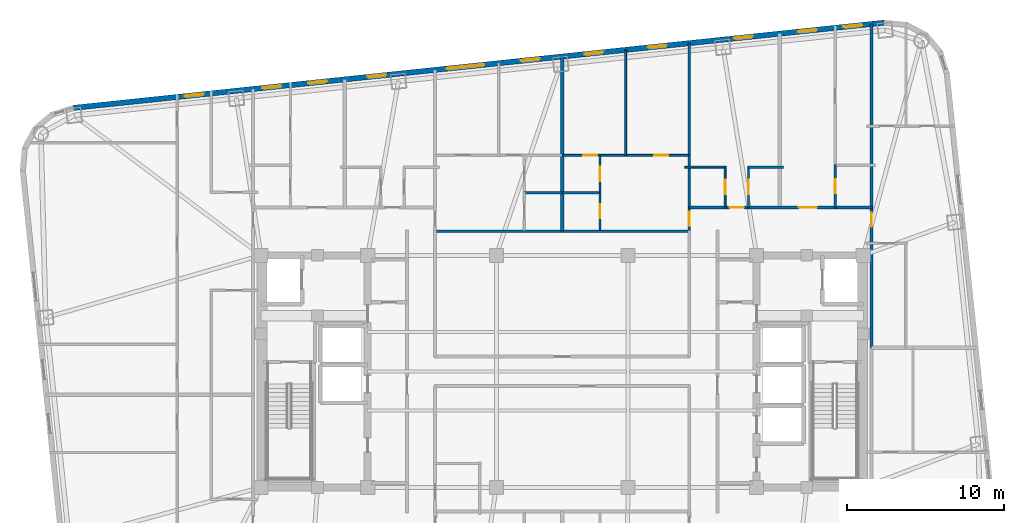
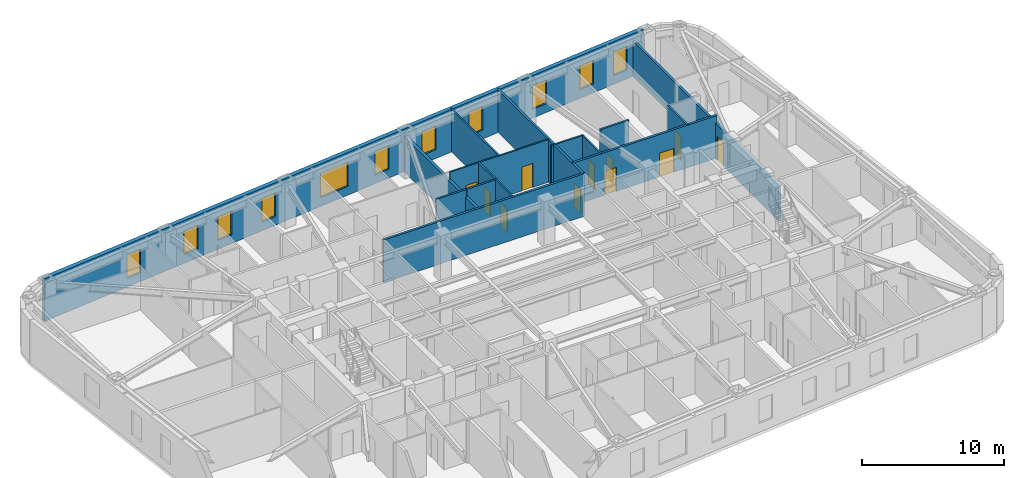
# One storey, part 8 of 11: 17 walls, 11 doors, 11 windows, 22 openings.
"""IFC4 building model written with IfcOpenShell, lengths in metres."""

from ifc_helpers import new_model, si_unit, direction, frame, frame_2d, origin, place, context, subcontext, project, spatial, rectangle, extrude, material, layer, layer_set, type_object, element, fill, save


model = new_model("IFC4")

# Units and contexts
model_context = context("Model", 3, precision=1e-05, world=origin(), true_north=direction((0.0, 1.0)))
body_context = subcontext(model_context, "Body", "Model", "MODEL_VIEW")
ifc_project = project(units=[si_unit("LENGTHUNIT", "METRE"), si_unit("AREAUNIT", "SQUARE_METRE"), si_unit("VOLUMEUNIT", "CUBIC_METRE"), si_unit("PLANEANGLEUNIT", "RADIAN"), si_unit("MASSUNIT", "GRAM", prefix="KILO")], contexts=[model_context])

# Site, building, storey
site_placement = place(None, origin())
site = spatial("IfcSite", under=ifc_project, at=site_placement, CompositionType="ELEMENT")
building_placement = place(site_placement, origin())
building = spatial("IfcBuilding", under=site, at=building_placement, Name="Voryun Gate Residences", CompositionType="ELEMENT")
storey_placement = place(building_placement, frame((0.0, 0.0, 156.0)))
storey = spatial("IfcBuildingStorey", under=building, at=storey_placement, Name="L38", CompositionType="ELEMENT", Elevation=156.0)

# Wall
ifc_material_1 = material(Name="Gypsum acoustic fireboard")
ifc_layer_1 = layer(ifc_material_1, 0.179931640625, Name="W_CORR_RATED_180")
ifc_layer_set_1 = layer_set([ifc_layer_1], Name="Gypsum acoustic fireboard")
wall_type_1 = type_object("IfcWallType", Name="W_CORR_RATED_180", PredefinedType="PARTITIONING", material=ifc_layer_set_1)
wall_1_placement = place(storey_placement, frame((-8.14990234375, 8.93994140625, 0.0), z_axis=(0.0, 0.0, 1.0), x_axis=(1.0, 0.0, 0.0)))
element("IfcWall", 1, at=wall_1_placement, inside=storey, type_object=wall_type_1, Name="Partition wall WP-L38-Z2N", PredefinedType="PARTITIONING", context=body_context, shape_type="SweptSolid", body=[
    extrude(rectangle(XDim=16.2998046875, YDim=0.179931640625, at=frame_2d((8.14990234375, 0.0))), origin(), (0.0, 0.0, 1.0), 3.64990234375),
])

# Wall, openings, doors
wall_2_placement = place(storey_placement, frame((8.080078125, 10.449951171875, 0.0), z_axis=(0.0, 0.0, 1.0), x_axis=(1.0, 0.0, 0.0)))
wall_2 = element("IfcWall", 2, at=wall_2_placement, inside=storey, type_object=wall_type_1, Name="Partition wall WP-L38-NCORR-E", PredefinedType="PARTITIONING", context=body_context, shape_type="SweptSolid", body=[
    extrude(rectangle(XDim=11.669921875, YDim=0.179931640625, at=frame_2d((5.8349609375, 0.0))), origin(), (0.0, 0.0, 1.0), 3.64990234375),
])
opening_1_placement = place(wall_2_placement, frame((2.60400390625, 0.0, 0.0)))
opening_1 = element("IfcOpeningElement", 3, at=opening_1_placement, cuts=wall_2, Name="Opening D-INT-2", PredefinedType="OPENING", context=body_context, shape_type="SweptSolid", body=[
    extrude(rectangle(XDim=0.89990234375, YDim=2.050048828125, at=frame_2d((0.449951171875, 1.02490234375))), frame((0.0, 0.099853515625, 0.0), z_axis=(0.0, -1.0, 0.0), x_axis=(1.0, 0.0, 0.0)), (0.0, 0.0, 1.0), 0.199951171875),
])
opening_2_placement = place(wall_2_placement, frame((7.016357421875, 0.0, 0.0)))
opening_2 = element("IfcOpeningElement", 4, at=opening_2_placement, cuts=wall_2, Name="Opening D-UNIT-1", PredefinedType="OPENING", context=body_context, shape_type="SweptSolid", body=[
    extrude(rectangle(XDim=1.14990234375, YDim=2.050048828125, at=frame_2d((0.574951171875, 1.02490234375))), frame((0.0, 0.099853515625, 0.0), z_axis=(0.0, -1.0, 0.0), x_axis=(1.0, 0.0, 0.0)), (0.0, 0.0, 1.0), 0.199951171875),
])
ifc_material_2 = material(Name="Architectural oak veneer")
door_type_1 = type_object("IfcDoorType", Name="DR_INT_BATH_900", OperationType="NOTDEFINED", PredefinedType="DOOR", material=ifc_material_2)
door_1_placement = place(opening_1_placement, origin())
door_1 = element("IfcDoor", 5, at=door_1_placement, inside=storey, type_object=door_type_1, Name="Door DR-L38-NENT-4", OperationType="SINGLE_SWING_RIGHT", OverallHeight=2.050048828125, OverallWidth=0.89990234375, PredefinedType="DOOR", context=body_context, shape_type="SweptSolid", body=[
    extrude(rectangle(XDim=0.89990234375, YDim=2.050048828125, at=frame_2d((0.449951171875, 1.02490234375))), frame((0.0, 0.02490234375, 0.0), z_axis=(0.0, -1.0, 0.0), x_axis=(1.0, 0.0, 0.0)), (0.0, 0.0, 1.0), 0.050048828125),
])
fill(opening_1, door_1)
ifc_material_3 = material(Name="Armoured timber-clad fire door", Category="wood")
door_type_2 = type_object("IfcDoorType", Name="DR_UNIT_ENTRY_1150", OperationType="NOTDEFINED", PredefinedType="DOOR", material=ifc_material_3)
door_2_placement = place(opening_2_placement, origin())
door_2 = element("IfcDoor", 6, at=door_2_placement, inside=storey, type_object=door_type_2, Name="Door DR-L38-NENT-5", OperationType="SINGLE_SWING_LEFT", OverallHeight=2.050048828125, OverallWidth=1.14990234375, PredefinedType="DOOR", context=body_context, shape_type="SweptSolid", body=[
    extrude(rectangle(XDim=1.14990234375, YDim=2.050048828125, at=frame_2d((0.574951171875, 1.02490234375))), frame((0.0, 0.02490234375, 0.0), z_axis=(0.0, -1.0, 0.0), x_axis=(1.0, 0.0, 0.0)), (0.0, 0.0, 1.0), 0.050048828125),
])
fill(opening_2, door_2)

# Wall, opening, door
wall_3_placement = place(storey_placement, frame((8.10009765625, 8.93994140625, 0.0), z_axis=(0.0, 0.0, 1.0), x_axis=(0.0, 1.0, 0.0)))
wall_3 = element("IfcWall", 7, at=wall_3_placement, inside=storey, type_object=wall_type_1, Name="Partition wall WP-L38-NZV-2", PredefinedType="PARTITIONING", context=body_context, shape_type="SweptSolid", body=[
    extrude(rectangle(XDim=11.9892578125, YDim=0.179931640625, at=frame_2d((5.99462890625, 0.0))), origin(), (0.0, 0.0, 1.0), 3.64990234375),
])
opening_3_placement = place(wall_3_placement, frame((0.349609375, 0.0, 0.0)))
opening_3 = element("IfcOpeningElement", 8, at=opening_3_placement, cuts=wall_3, Name="Opening D-INT-2", PredefinedType="OPENING", context=body_context, shape_type="SweptSolid", body=[
    extrude(rectangle(XDim=0.89990234375, YDim=2.050048828125, at=frame_2d((0.449951171875, 1.02490234375))), frame((0.0, 0.099853515625, 0.0), z_axis=(0.0, -1.0, 0.0), x_axis=(1.0, 0.0, 0.0)), (0.0, 0.0, 1.0), 0.199951171875),
])
door_3_placement = place(opening_3_placement, origin())
door_3 = element("IfcDoor", 9, at=door_3_placement, inside=storey, type_object=door_type_1, Name="Door DR-L38-NZENT-2", OperationType="SINGLE_SWING_RIGHT", OverallHeight=2.050048828125, OverallWidth=0.89990234375, PredefinedType="DOOR", context=body_context, shape_type="SweptSolid", body=[
    extrude(rectangle(XDim=0.89990234375, YDim=2.050048828125, at=frame_2d((0.449951171875, 1.02490234375))), frame((0.0, 0.02490234375, 0.0), z_axis=(0.0, -1.0, 0.0), x_axis=(1.0, 0.0, 0.0)), (0.0, 0.0, 1.0), 0.050048828125),
])
fill(opening_3, door_3)

wall_4_placement = place(storey_placement, frame((19.719970703125, 1.5, 0.0), z_axis=(0.0, 0.0, 1.0), x_axis=(0.0, 1.0, 0.0)))
wall_4 = element("IfcWall", 10, at=wall_4_placement, inside=storey, type_object=wall_type_1, Name="Partition wall WP-L38-ECOR2", PredefinedType="PARTITIONING", context=body_context, shape_type="SweptSolid", body=[
    extrude(rectangle(XDim=20.650390625, YDim=0.179931640625, at=frame_2d((10.3251953125, 0.0))), origin(), (0.0, 0.0, 1.0), 3.0400390625),
])
opening_4_placement = place(wall_4_placement, frame((7.7294921875, 0.0, 0.0)))
opening_4 = element("IfcOpeningElement", 11, at=opening_4_placement, cuts=wall_4, Name="Opening D-INT-2", PredefinedType="OPENING", context=body_context, shape_type="SweptSolid", body=[
    extrude(rectangle(XDim=0.89990234375, YDim=2.050048828125, at=frame_2d((0.449951171875, 1.02490234375))), frame((0.0, 0.099853515625, 0.0), z_axis=(0.0, -1.0, 0.0), x_axis=(1.0, 0.0, 0.0)), (0.0, 0.0, 1.0), 0.199951171875),
])
door_4_placement = place(opening_4_placement, origin())
door_4 = element("IfcDoor", 12, at=door_4_placement, inside=storey, type_object=door_type_1, Name="Door DR-L38-EE2", OperationType="SINGLE_SWING_RIGHT", OverallHeight=2.050048828125, OverallWidth=0.89990234375, PredefinedType="DOOR", context=body_context, shape_type="SweptSolid", body=[
    extrude(rectangle(XDim=0.89990234375, YDim=2.050048828125, at=frame_2d((0.449951171875, 1.02490234375))), frame((0.0, 0.02490234375, 0.0), z_axis=(0.0, -1.0, 0.0), x_axis=(1.0, 0.0, 0.0)), (0.0, 0.0, 1.0), 0.050048828125),
])
fill(opening_4, door_4)

# Wall, openings, windows
ifc_material_4 = material(Name="Charcoal terracotta masonry", Category="masonry")
ifc_layer_2 = layer(ifc_material_4, 0.340087890625, Name="W_EXT_TERRACOTTA_340")
ifc_layer_set_2 = layer_set([ifc_layer_2], Name="Charcoal terracotta masonry")
wall_type_2 = type_object("IfcWallType", Name="W_EXT_TERRACOTTA_340", PredefinedType="ELEMENTEDWALL", material=ifc_layer_set_2)
wall_5_placement = place(storey_placement, frame((-31.155517578125, 16.80322265625, 0.0), z_axis=(0.0, 0.0, 1.0), x_axis=(0.99452209583, 0.104526555986, 0.0)))
wall_5 = element("IfcWall", 13, at=wall_5_placement, inside=storey, type_object=wall_type_2, Name="Exterior wall WEXT-L38-11", PredefinedType="ELEMENTEDWALL", context=body_context, shape_type="SweptSolid", body=[
    extrude(rectangle(XDim=51.966552734375, YDim=0.340087890625, at=frame_2d((25.9833984375, 0.0))), origin(), (0.0, 0.0, 1.0), 3.64990234375),
])
opening_5_placement = place(wall_5_placement, frame((23.93310546875, 0.0, 0.75)))
opening_5 = element("IfcOpeningElement", 14, at=opening_5_placement, cuts=wall_5, Name="Opening WN2", PredefinedType="OPENING", context=body_context, shape_type="SweptSolid", body=[
    extrude(rectangle(XDim=2.39990234375, YDim=2.10009765625, at=frame_2d((1.199951171875, 1.050048828125))), frame((0.0, 0.179931640625, 0.0), z_axis=(0.0, -1.0, 0.0), x_axis=(1.0, 0.0, 0.0)), (0.0, 0.0, 1.0), 0.360107421875),
])
opening_6_placement = place(wall_5_placement, frame((15.04638671875, 0.0, 0.75)))
opening_6 = element("IfcOpeningElement", 15, at=opening_6_placement, cuts=wall_5, Name="Opening WN6", PredefinedType="OPENING", context=body_context, shape_type="SweptSolid", body=[
    extrude(rectangle(XDim=1.199951171875, YDim=2.050048828125, at=frame_2d((0.60009765625, 1.02490234375))), frame((0.0, 0.179931640625, 0.0), z_axis=(0.0, -1.0, 0.0), x_axis=(1.0, 0.0, 0.0)), (0.0, 0.0, 1.0), 0.360107421875),
])
opening_7_placement = place(wall_5_placement, frame((12.10791015625, 0.0, 0.75)))
opening_7 = element("IfcOpeningElement", 16, at=opening_7_placement, cuts=wall_5, Name="Opening WN6", PredefinedType="OPENING", context=body_context, shape_type="SweptSolid", body=[
    extrude(rectangle(XDim=1.199951171875, YDim=2.050048828125, at=frame_2d((0.60009765625, 1.02490234375))), frame((0.0, 0.179931640625, 0.0), z_axis=(0.0, -1.0, 0.0), x_axis=(1.0, 0.0, 0.0)), (0.0, 0.0, 1.0), 0.360107421875),
])
opening_8_placement = place(wall_5_placement, frame((18.851806640625, 0.0, 0.75)))
opening_8 = element("IfcOpeningElement", 17, at=opening_8_placement, cuts=wall_5, Name="Opening WN6", PredefinedType="OPENING", context=body_context, shape_type="SweptSolid", body=[
    extrude(rectangle(XDim=1.199951171875, YDim=2.050048828125, at=frame_2d((0.60009765625, 1.02490234375))), frame((0.0, 0.179931640625, 0.0), z_axis=(0.0, -1.0, 0.0), x_axis=(1.0, 0.0, 0.0)), (0.0, 0.0, 1.0), 0.360107421875),
])
opening_9_placement = place(wall_5_placement, frame((42.35791015625, 0.0, 0.75)))
opening_9 = element("IfcOpeningElement", 18, at=opening_9_placement, cuts=wall_5, Name="Opening WN6", PredefinedType="OPENING", context=body_context, shape_type="SweptSolid", body=[
    extrude(rectangle(XDim=1.199951171875, YDim=2.050048828125, at=frame_2d((0.60009765625, 1.02490234375))), frame((0.0, 0.179931640625, 0.0), z_axis=(0.0, -1.0, 0.0), x_axis=(1.0, 0.0, 0.0)), (0.0, 0.0, 1.0), 0.360107421875),
])
opening_10_placement = place(wall_5_placement, frame((46.451904296875, 0.0, 0.75)))
opening_10 = element("IfcOpeningElement", 19, at=opening_10_placement, cuts=wall_5, Name="Opening WN6", PredefinedType="OPENING", context=body_context, shape_type="SweptSolid", body=[
    extrude(rectangle(XDim=1.199951171875, YDim=2.050048828125, at=frame_2d((0.60009765625, 1.02490234375))), frame((0.0, 0.179931640625, 0.0), z_axis=(0.0, -1.0, 0.0), x_axis=(1.0, 0.0, 0.0)), (0.0, 0.0, 1.0), 0.360107421875),
])
opening_11_placement = place(wall_5_placement, frame((49.355712890625, 0.0, 0.75)))
opening_11 = element("IfcOpeningElement", 20, at=opening_11_placement, cuts=wall_5, Name="Opening WN6", PredefinedType="OPENING", context=body_context, shape_type="SweptSolid", body=[
    extrude(rectangle(XDim=1.199951171875, YDim=2.050048828125, at=frame_2d((0.60009765625, 1.02490234375))), frame((0.0, 0.179931640625, 0.0), z_axis=(0.0, -1.0, 0.0), x_axis=(1.0, 0.0, 0.0)), (0.0, 0.0, 1.0), 0.360107421875),
])
opening_12_placement = place(wall_5_placement, frame((28.68359375, 0.0, 0.75)))
opening_12 = element("IfcOpeningElement", 21, at=opening_12_placement, cuts=wall_5, Name="Opening WN6", PredefinedType="OPENING", context=body_context, shape_type="SweptSolid", body=[
    extrude(rectangle(XDim=1.199951171875, YDim=2.050048828125, at=frame_2d((0.60009765625, 1.02490234375))), frame((0.0, 0.179931640625, 0.0), z_axis=(0.0, -1.0, 0.0), x_axis=(1.0, 0.0, 0.0)), (0.0, 0.0, 1.0), 0.360107421875),
])
opening_13_placement = place(wall_5_placement, frame((32.76611328125, 0.0, 0.75)))
opening_13 = element("IfcOpeningElement", 22, at=opening_13_placement, cuts=wall_5, Name="Opening WN6", PredefinedType="OPENING", context=body_context, shape_type="SweptSolid", body=[
    extrude(rectangle(XDim=1.199951171875, YDim=2.050048828125, at=frame_2d((0.60009765625, 1.02490234375))), frame((0.0, 0.179931640625, 0.0), z_axis=(0.0, -1.0, 0.0), x_axis=(1.0, 0.0, 0.0)), (0.0, 0.0, 1.0), 0.360107421875),
])
opening_14_placement = place(wall_5_placement, frame((36.828369140625, 0.0, 0.75)))
opening_14 = element("IfcOpeningElement", 23, at=opening_14_placement, cuts=wall_5, Name="Opening WN6", PredefinedType="OPENING", context=body_context, shape_type="SweptSolid", body=[
    extrude(rectangle(XDim=1.199951171875, YDim=2.050048828125, at=frame_2d((0.60009765625, 1.02490234375))), frame((0.0, 0.179931640625, 0.0), z_axis=(0.0, -1.0, 0.0), x_axis=(1.0, 0.0, 0.0)), (0.0, 0.0, 1.0), 0.360107421875),
])
opening_15_placement = place(wall_5_placement, frame((7.135498046875, 0.0, 0.75)))
opening_15 = element("IfcOpeningElement", 24, at=opening_15_placement, cuts=wall_5, Name="Opening WN6", PredefinedType="OPENING", context=body_context, shape_type="SweptSolid", body=[
    extrude(rectangle(XDim=1.199951171875, YDim=2.050048828125, at=frame_2d((0.60009765625, 1.02490234375))), frame((0.0, 0.179931640625, 0.0), z_axis=(0.0, -1.0, 0.0), x_axis=(1.0, 0.0, 0.0)), (0.0, 0.0, 1.0), 0.360107421875),
])
ifc_material_5 = material(Name="Laminated low-E glass", Category="glass")
window_type_1 = type_object("IfcWindowType", Name="WN_POD_SLOT_1200", PartitioningType="SINGLE_PANEL", PredefinedType="WINDOW", material=ifc_material_5)
window_1_placement = place(opening_6_placement, origin())
window_1 = element("IfcWindow", 25, at=window_1_placement, inside=storey, type_object=window_type_1, Name="Window WN-L38-DWFIX-01", OverallHeight=2.050048828125, OverallWidth=1.199951171875, PartitioningType="SINGLE_PANEL", PredefinedType="WINDOW", context=body_context, shape_type="SweptSolid", body=[
    extrude(rectangle(XDim=1.199951171875, YDim=2.050048828125, at=frame_2d((0.60009765625, 1.02490234375))), frame((0.0, 0.030029296875, 0.0), z_axis=(0.0, -1.0, 0.0), x_axis=(1.0, 0.0, 0.0)), (0.0, 0.0, 1.0), 0.06005859375),
])
fill(opening_6, window_1)
window_2_placement = place(opening_7_placement, origin())
window_2 = element("IfcWindow", 26, at=window_2_placement, inside=storey, type_object=window_type_1, Name="Window WN-L38-DWFIX-02", OverallHeight=2.050048828125, OverallWidth=1.199951171875, PartitioningType="SINGLE_PANEL", PredefinedType="WINDOW", context=body_context, shape_type="SweptSolid", body=[
    extrude(rectangle(XDim=1.199951171875, YDim=2.050048828125, at=frame_2d((0.60009765625, 1.02490234375))), frame((0.0, 0.030029296875, 0.0), z_axis=(0.0, -1.0, 0.0), x_axis=(1.0, 0.0, 0.0)), (0.0, 0.0, 1.0), 0.06005859375),
])
fill(opening_7, window_2)
window_3_placement = place(opening_8_placement, origin())
window_3 = element("IfcWindow", 27, at=window_3_placement, inside=storey, type_object=window_type_1, Name="Window WN-L38-DWFIX-03", OverallHeight=2.050048828125, OverallWidth=1.199951171875, PartitioningType="SINGLE_PANEL", PredefinedType="WINDOW", context=body_context, shape_type="SweptSolid", body=[
    extrude(rectangle(XDim=1.199951171875, YDim=2.050048828125, at=frame_2d((0.60009765625, 1.02490234375))), frame((0.0, 0.030029296875, 0.0), z_axis=(0.0, -1.0, 0.0), x_axis=(1.0, 0.0, 0.0)), (0.0, 0.0, 1.0), 0.06005859375),
])
fill(opening_8, window_3)
window_4_placement = place(opening_9_placement, origin())
window_4 = element("IfcWindow", 28, at=window_4_placement, inside=storey, type_object=window_type_1, Name="Window WN-L38-DWFIX-04", OverallHeight=2.050048828125, OverallWidth=1.199951171875, PartitioningType="SINGLE_PANEL", PredefinedType="WINDOW", context=body_context, shape_type="SweptSolid", body=[
    extrude(rectangle(XDim=1.199951171875, YDim=2.050048828125, at=frame_2d((0.60009765625, 1.02490234375))), frame((0.0, 0.030029296875, 0.0), z_axis=(0.0, -1.0, 0.0), x_axis=(1.0, 0.0, 0.0)), (0.0, 0.0, 1.0), 0.06005859375),
])
fill(opening_9, window_4)
window_5_placement = place(opening_10_placement, origin())
window_5 = element("IfcWindow", 29, at=window_5_placement, inside=storey, type_object=window_type_1, Name="Window WN-L38-DWFIX-05", OverallHeight=2.050048828125, OverallWidth=1.199951171875, PartitioningType="SINGLE_PANEL", PredefinedType="WINDOW", context=body_context, shape_type="SweptSolid", body=[
    extrude(rectangle(XDim=1.199951171875, YDim=2.050048828125, at=frame_2d((0.60009765625, 1.02490234375))), frame((0.0, 0.030029296875, 0.0), z_axis=(0.0, -1.0, 0.0), x_axis=(1.0, 0.0, 0.0)), (0.0, 0.0, 1.0), 0.06005859375),
])
fill(opening_10, window_5)
window_6_placement = place(opening_11_placement, origin())
window_6 = element("IfcWindow", 30, at=window_6_placement, inside=storey, type_object=window_type_1, Name="Window WN-L38-DWFIX-06", OverallHeight=2.050048828125, OverallWidth=1.199951171875, PartitioningType="SINGLE_PANEL", PredefinedType="WINDOW", context=body_context, shape_type="SweptSolid", body=[
    extrude(rectangle(XDim=1.199951171875, YDim=2.050048828125, at=frame_2d((0.60009765625, 1.02490234375))), frame((0.0, 0.030029296875, 0.0), z_axis=(0.0, -1.0, 0.0), x_axis=(1.0, 0.0, 0.0)), (0.0, 0.0, 1.0), 0.06005859375),
])
fill(opening_11, window_6)
window_7_placement = place(opening_12_placement, origin())
window_7 = element("IfcWindow", 31, at=window_7_placement, inside=storey, type_object=window_type_1, Name="Window WN-L38-DWFIX-07", OverallHeight=2.050048828125, OverallWidth=1.199951171875, PartitioningType="SINGLE_PANEL", PredefinedType="WINDOW", context=body_context, shape_type="SweptSolid", body=[
    extrude(rectangle(XDim=1.199951171875, YDim=2.050048828125, at=frame_2d((0.60009765625, 1.02490234375))), frame((0.0, 0.030029296875, 0.0), z_axis=(0.0, -1.0, 0.0), x_axis=(1.0, 0.0, 0.0)), (0.0, 0.0, 1.0), 0.06005859375),
])
fill(opening_12, window_7)
window_8_placement = place(opening_13_placement, origin())
window_8 = element("IfcWindow", 32, at=window_8_placement, inside=storey, type_object=window_type_1, Name="Window WN-L38-DWFIX-08", OverallHeight=2.050048828125, OverallWidth=1.199951171875, PartitioningType="SINGLE_PANEL", PredefinedType="WINDOW", context=body_context, shape_type="SweptSolid", body=[
    extrude(rectangle(XDim=1.199951171875, YDim=2.050048828125, at=frame_2d((0.60009765625, 1.02490234375))), frame((0.0, 0.030029296875, 0.0), z_axis=(0.0, -1.0, 0.0), x_axis=(1.0, 0.0, 0.0)), (0.0, 0.0, 1.0), 0.06005859375),
])
fill(opening_13, window_8)
window_9_placement = place(opening_14_placement, origin())
window_9 = element("IfcWindow", 33, at=window_9_placement, inside=storey, type_object=window_type_1, Name="Window WN-L38-DWFIX-09", OverallHeight=2.050048828125, OverallWidth=1.199951171875, PartitioningType="SINGLE_PANEL", PredefinedType="WINDOW", context=body_context, shape_type="SweptSolid", body=[
    extrude(rectangle(XDim=1.199951171875, YDim=2.050048828125, at=frame_2d((0.60009765625, 1.02490234375))), frame((0.0, 0.030029296875, 0.0), z_axis=(0.0, -1.0, 0.0), x_axis=(1.0, 0.0, 0.0)), (0.0, 0.0, 1.0), 0.06005859375),
])
fill(opening_14, window_9)
window_10_placement = place(opening_15_placement, origin())
window_10 = element("IfcWindow", 34, at=window_10_placement, inside=storey, type_object=window_type_1, Name="Window WN-L38-DWFIX-23", OverallHeight=2.050048828125, OverallWidth=1.199951171875, PartitioningType="SINGLE_PANEL", PredefinedType="WINDOW", context=body_context, shape_type="SweptSolid", body=[
    extrude(rectangle(XDim=1.199951171875, YDim=2.050048828125, at=frame_2d((0.60009765625, 1.02490234375))), frame((0.0, 0.030029296875, 0.0), z_axis=(0.0, -1.0, 0.0), x_axis=(1.0, 0.0, 0.0)), (0.0, 0.0, 1.0), 0.06005859375),
])
fill(opening_15, window_10)
ifc_material_6 = material(Name="Laminated low-E glass", Category="glass")
window_type_2 = type_object("IfcWindowType", Name="WN_RES_WIDE_2400", PartitioningType="SINGLE_PANEL", PredefinedType="WINDOW", material=ifc_material_6)
window_11_placement = place(opening_5_placement, origin())
window_11 = element("IfcWindow", 35, at=window_11_placement, inside=storey, type_object=window_type_2, Name="Window WN-WEXT-L38-11-02", OverallHeight=2.10009765625, OverallWidth=2.39990234375, PartitioningType="SINGLE_PANEL", PredefinedType="WINDOW", context=body_context, shape_type="SweptSolid", body=[
    extrude(rectangle(XDim=2.39990234375, YDim=2.10009765625, at=frame_2d((1.199951171875, 1.050048828125))), frame((0.0, 0.030029296875, 0.0), z_axis=(0.0, -1.0, 0.0), x_axis=(1.0, 0.0, 0.0)), (0.0, 0.0, 1.0), 0.06005859375),
])
fill(opening_5, window_11)

# Wall
ifc_material_7 = material(Name="Concrete C40/50", Category="concrete")
ifc_layer_3 = layer(ifc_material_7, 0.219970703125, Name="W_PARTY_ACOUSTIC_220")
ifc_layer_set_3 = layer_set([ifc_layer_3], Name="Concrete C40/50")
wall_type_3 = type_object("IfcWallType", Name="W_PARTY_ACOUSTIC_220", PredefinedType="PARTITIONING", material=ifc_layer_set_3)
wall_6_placement = place(storey_placement, frame((0.0, 8.93994140625, 0.0), z_axis=(0.0, 0.0, 1.0), x_axis=(0.0, 1.0, 0.0)))
element("IfcWall", 36, at=wall_6_placement, inside=storey, type_object=wall_type_3, Name="Partition wall WP-L38-NZMID", PredefinedType="PARTITIONING", context=body_context, shape_type="SweptSolid", body=[
    extrude(rectangle(XDim=11.137939453125, YDim=0.219970703125, at=frame_2d((5.56884765625, 0.0))), origin(), (0.0, 0.0, 1.0), 3.0400390625),
])

# Wall, opening, door
ifc_material_8 = material(Name="Gypsum acoustic partition")
ifc_layer_4 = layer(ifc_material_8, 0.125, Name="W_UNIT_PART_125")
ifc_layer_set_4 = layer_set([ifc_layer_4], Name="Gypsum acoustic partition")
wall_type_4 = type_object("IfcWallType", Name="W_UNIT_PART_125", PredefinedType="PARTITIONING", material=ifc_layer_set_4)
wall_7_placement = place(storey_placement, frame((10.389892578125, 10.429931640625, 0.0), z_axis=(0.0, 0.0, 1.0), x_axis=(0.0, 1.0, 0.0)))
wall_7 = element("IfcWall", 37, at=wall_7_placement, inside=storey, type_object=wall_type_4, Name="Partition wall WP-L38-N4-CVK", PredefinedType="PARTITIONING", context=body_context, shape_type="SweptSolid", body=[
    extrude(rectangle(XDim=2.650146484375, YDim=0.125, at=frame_2d((1.3251953125, 0.0))), origin(), (0.0, 0.0, 1.0), 3.64990234375),
])
opening_16_placement = place(wall_7_placement, frame((0.875, 0.0, 0.0)))
opening_16 = element("IfcOpeningElement", 38, at=opening_16_placement, cuts=wall_7, Name="Opening D-INT-2", PredefinedType="OPENING", context=body_context, shape_type="SweptSolid", body=[
    extrude(rectangle(XDim=0.89990234375, YDim=2.050048828125, at=frame_2d((0.449951171875, 1.02490234375))), frame((0.0, 0.072509765625, 0.0), z_axis=(0.0, -1.0, 0.0), x_axis=(1.0, 0.0, 0.0)), (0.0, 0.0, 1.0), 0.14501953125),
])
door_5_placement = place(opening_16_placement, origin())
door_5 = element("IfcDoor", 39, at=door_5_placement, inside=storey, type_object=door_type_1, Name="Door DR-L38-N4-DK", OperationType="SINGLE_SWING_LEFT", OverallHeight=2.050048828125, OverallWidth=0.89990234375, PredefinedType="DOOR", context=body_context, shape_type="SweptSolid", body=[
    extrude(rectangle(XDim=0.89990234375, YDim=2.050048828125, at=frame_2d((0.449951171875, 1.02490234375))), frame((0.0, 0.02490234375, 0.0), z_axis=(0.0, -1.0, 0.0), x_axis=(1.0, 0.0, 0.0)), (0.0, 0.0, 1.0), 0.050048828125),
])
fill(opening_16, door_5)

# Wall
wall_8_placement = place(storey_placement, frame((7.820068359375, 13.02001953125, 0.0), z_axis=(0.0, 0.0, 1.0), x_axis=(1.0, 0.0, 0.0)))
element("IfcWall", 40, at=wall_8_placement, inside=storey, type_object=wall_type_4, Name="Partition wall WP-L38-N4-CHK", PredefinedType="PARTITIONING", context=body_context, shape_type="SweptSolid", body=[
    extrude(rectangle(XDim=2.6298828125, YDim=0.125, at=frame_2d((1.31494140625, 0.0))), origin(), (0.0, 0.0, 1.0), 3.64990234375),
])

# Wall, openings, doors
wall_9_placement = place(storey_placement, frame((0.02001953125, 13.780029296875, 0.0), z_axis=(0.0, 0.0, 1.0), x_axis=(1.0, 0.0, 0.0)))
wall_9 = element("IfcWall", 41, at=wall_9_placement, inside=storey, type_object=wall_type_4, Name="Partition wall WP-L38-NC2-HZ", PredefinedType="PARTITIONING", context=body_context, shape_type="SweptSolid", body=[
    extrude(rectangle(XDim=8.06005859375, YDim=0.125, at=frame_2d((4.030029296875, 0.0))), origin(), (0.0, 0.0, 1.0), 3.64990234375),
])
opening_17_placement = place(wall_9_placement, frame((1.3232421875, 0.0, 0.0)))
opening_17 = element("IfcOpeningElement", 42, at=opening_17_placement, cuts=wall_9, Name="Opening D-INT-2", PredefinedType="OPENING", context=body_context, shape_type="SweptSolid", body=[
    extrude(rectangle(XDim=0.89990234375, YDim=2.050048828125, at=frame_2d((0.449951171875, 1.02490234375))), frame((0.0, 0.072509765625, 0.0), z_axis=(0.0, -1.0, 0.0), x_axis=(1.0, 0.0, 0.0)), (0.0, 0.0, 1.0), 0.14501953125),
])
opening_18_placement = place(wall_9_placement, frame((5.8369140625, 0.0, 0.0)))
opening_18 = element("IfcOpeningElement", 43, at=opening_18_placement, cuts=wall_9, Name="Opening D-INT-2", PredefinedType="OPENING", context=body_context, shape_type="SweptSolid", body=[
    extrude(rectangle(XDim=0.89990234375, YDim=2.050048828125, at=frame_2d((0.449951171875, 1.02490234375))), frame((0.0, 0.072509765625, 0.0), z_axis=(0.0, -1.0, 0.0), x_axis=(1.0, 0.0, 0.0)), (0.0, 0.0, 1.0), 0.14501953125),
])
door_6_placement = place(opening_17_placement, origin())
door_6 = element("IfcDoor", 44, at=door_6_placement, inside=storey, type_object=door_type_1, Name="Door DR-L38-NC2-DMB", OperationType="SINGLE_SWING_LEFT", OverallHeight=2.050048828125, OverallWidth=0.89990234375, PredefinedType="DOOR", context=body_context, shape_type="SweptSolid", body=[
    extrude(rectangle(XDim=0.89990234375, YDim=2.050048828125, at=frame_2d((0.449951171875, 1.02490234375))), frame((0.0, 0.02490234375, 0.0), z_axis=(0.0, -1.0, 0.0), x_axis=(1.0, 0.0, 0.0)), (0.0, 0.0, 1.0), 0.050048828125),
])
fill(opening_17, door_6)
door_7_placement = place(opening_18_placement, origin())
door_7 = element("IfcDoor", 45, at=door_7_placement, inside=storey, type_object=door_type_1, Name="Door DR-L38-NC2-DBD2", OperationType="SINGLE_SWING_RIGHT", OverallHeight=2.050048828125, OverallWidth=0.89990234375, PredefinedType="DOOR", context=body_context, shape_type="SweptSolid", body=[
    extrude(rectangle(XDim=0.89990234375, YDim=2.050048828125, at=frame_2d((0.449951171875, 1.02490234375))), frame((0.0, 0.02490234375, 0.0), z_axis=(0.0, -1.0, 0.0), x_axis=(1.0, 0.0, 0.0)), (0.0, 0.0, 1.0), 0.050048828125),
])
fill(opening_18, door_7)

# Wall, opening, door
wall_10_placement = place(storey_placement, frame((2.409912109375, 9.0, 0.0), z_axis=(0.0, 0.0, 1.0), x_axis=(0.0, 1.0, 0.0)))
wall_10 = element("IfcWall", 46, at=wall_10_placement, inside=storey, type_object=wall_type_4, Name="Partition wall WP-L38-NC2-VK1", PredefinedType="PARTITIONING", context=body_context, shape_type="SweptSolid", body=[
    extrude(rectangle(XDim=2.409912109375, YDim=0.125, at=frame_2d((1.205078125, 0.0))), origin(), (0.0, 0.0, 1.0), 3.64990234375),
])
opening_19_placement = place(wall_10_placement, frame((0.7548828125, 0.0, 0.0)))
opening_19 = element("IfcOpeningElement", 47, at=opening_19_placement, cuts=wall_10, Name="Opening D-INT-2", PredefinedType="OPENING", context=body_context, shape_type="SweptSolid", body=[
    extrude(rectangle(XDim=0.89990234375, YDim=2.050048828125, at=frame_2d((0.449951171875, 1.02490234375))), frame((0.0, 0.072509765625, 0.0), z_axis=(0.0, -1.0, 0.0), x_axis=(1.0, 0.0, 0.0)), (0.0, 0.0, 1.0), 0.14501953125),
])
door_8_placement = place(opening_19_placement, origin())
door_8 = element("IfcDoor", 48, at=door_8_placement, inside=storey, type_object=door_type_1, Name="Door DR-L38-NC2-DK", OperationType="SINGLE_SWING_LEFT", OverallHeight=2.050048828125, OverallWidth=0.89990234375, PredefinedType="DOOR", context=body_context, shape_type="SweptSolid", body=[
    extrude(rectangle(XDim=0.89990234375, YDim=2.050048828125, at=frame_2d((0.449951171875, 1.02490234375))), frame((0.0, 0.02490234375, 0.0), z_axis=(0.0, -1.0, 0.0), x_axis=(1.0, 0.0, 0.0)), (0.0, 0.0, 1.0), 0.050048828125),
])
fill(opening_19, door_8)

# Wall
wall_11_placement = place(storey_placement, frame((4.050048828125, 13.739990234375, 0.0), z_axis=(0.0, 0.0, 1.0), x_axis=(0.0, 1.0, 0.0)))
element("IfcWall", 49, at=wall_11_placement, inside=storey, type_object=wall_type_4, Name="Partition wall WP-L38-NC2-VBD", PredefinedType="PARTITIONING", context=body_context, shape_type="SweptSolid", body=[
    extrude(rectangle(XDim=6.763427734375, YDim=0.125, at=frame_2d((3.3818359375, 0.0))), origin(), (0.0, 0.0, 1.0), 3.64990234375),
])

# Wall, opening, door
ifc_material_9 = material(Name="Gypsum moisture-resistant partition")
ifc_layer_5 = layer(ifc_material_9, 0.14990234375, Name="W_WET_PLUMB_150")
ifc_layer_set_5 = layer_set([ifc_layer_5], Name="Gypsum moisture-resistant partition")
wall_type_5 = type_object("IfcWallType", Name="W_WET_PLUMB_150", PredefinedType="PLUMBINGWALL", material=ifc_layer_set_5)
wall_12_placement = place(storey_placement, frame((11.87890625, 10.429931640625, 0.0), z_axis=(0.0, 0.0, 1.0), x_axis=(0.0, 1.0, 0.0)))
wall_12 = element("IfcWall", 50, at=wall_12_placement, inside=storey, type_object=wall_type_5, Name="Partition wall WP-L38-N4-CVB", PredefinedType="PLUMBINGWALL", context=body_context, shape_type="SweptSolid", body=[
    extrude(rectangle(XDim=2.650146484375, YDim=0.14990234375, at=frame_2d((1.3251953125, 0.0))), origin(), (0.0, 0.0, 1.0), 3.0400390625),
])
opening_20_placement = place(wall_12_placement, frame((0.875, 0.0, 0.0)))
opening_20 = element("IfcOpeningElement", 51, at=opening_20_placement, cuts=wall_12, Name="Opening D-INT-2", PredefinedType="OPENING", context=body_context, shape_type="SweptSolid", body=[
    extrude(rectangle(XDim=0.89990234375, YDim=2.050048828125, at=frame_2d((0.449951171875, 1.02490234375))), frame((0.0, 0.0849609375, 0.0), z_axis=(0.0, -1.0, 0.0), x_axis=(1.0, 0.0, 0.0)), (0.0, 0.0, 1.0), 0.169921875),
])
door_9_placement = place(opening_20_placement, origin())
door_9 = element("IfcDoor", 52, at=door_9_placement, inside=storey, type_object=door_type_1, Name="Door DR-L38-N4-DB", OperationType="SINGLE_SWING_RIGHT", OverallHeight=2.050048828125, OverallWidth=0.89990234375, PredefinedType="DOOR", context=body_context, shape_type="SweptSolid", body=[
    extrude(rectangle(XDim=0.89990234375, YDim=2.050048828125, at=frame_2d((0.449951171875, 1.02490234375))), frame((0.0, 0.02490234375, 0.0), z_axis=(0.0, -1.0, 0.0), x_axis=(1.0, 0.0, 0.0)), (0.0, 0.0, 1.0), 0.050048828125),
])
fill(opening_20, door_9)

# Wall
wall_13_placement = place(storey_placement, frame((11.819091796875, 13.02001953125, 0.0), z_axis=(0.0, 0.0, 1.0), x_axis=(1.0, 0.0, 0.0)))
element("IfcWall", 53, at=wall_13_placement, inside=storey, type_object=wall_type_5, Name="Partition wall WP-L38-N4-CHB", PredefinedType="PLUMBINGWALL", context=body_context, shape_type="SweptSolid", body=[
    extrude(rectangle(XDim=2.305908203125, YDim=0.14990234375, at=frame_2d((1.15283203125, 0.0))), origin(), (0.0, 0.0, 1.0), 3.64990234375),
])

# Wall, opening, door
wall_14_placement = place(storey_placement, frame((17.4169921875, 10.429931640625, 0.0), z_axis=(0.0, 0.0, 1.0), x_axis=(0.0, 1.0, 0.0)))
wall_14 = element("IfcWall", 54, at=wall_14_placement, inside=storey, type_object=wall_type_5, Name="Partition wall WP-L38-N5-SVT1", PredefinedType="PLUMBINGWALL", context=body_context, shape_type="SweptSolid", body=[
    extrude(rectangle(XDim=2.760009765625, YDim=0.14990234375, at=frame_2d((1.3798828125, 0.0))), origin(), (0.0, 0.0, 1.0), 3.64990234375),
])
opening_21_placement = place(wall_14_placement, frame((0.929931640625, 0.0, 0.0)))
opening_21 = element("IfcOpeningElement", 55, at=opening_21_placement, cuts=wall_14, Name="Opening D-INT-2", PredefinedType="OPENING", context=body_context, shape_type="SweptSolid", body=[
    extrude(rectangle(XDim=0.89990234375, YDim=2.050048828125, at=frame_2d((0.449951171875, 1.02490234375))), frame((0.0, 0.0849609375, 0.0), z_axis=(0.0, -1.0, 0.0), x_axis=(1.0, 0.0, 0.0)), (0.0, 0.0, 1.0), 0.169921875),
])
door_10_placement = place(opening_21_placement, origin())
door_10 = element("IfcDoor", 56, at=door_10_placement, inside=storey, type_object=door_type_1, Name="Door DR-L38-N5-DB", OperationType="SINGLE_SWING_LEFT", OverallHeight=2.050048828125, OverallWidth=0.89990234375, PredefinedType="DOOR", context=body_context, shape_type="SweptSolid", body=[
    extrude(rectangle(XDim=0.89990234375, YDim=2.050048828125, at=frame_2d((0.449951171875, 1.02490234375))), frame((0.0, 0.02490234375, 0.0), z_axis=(0.0, -1.0, 0.0), x_axis=(1.0, 0.0, 0.0)), (0.0, 0.0, 1.0), 0.050048828125),
])
fill(opening_21, door_10)

# Wall
wall_15_placement = place(storey_placement, frame((-2.449951171875, 11.3798828125, 0.0), z_axis=(0.0, 0.0, 1.0), x_axis=(1.0, 0.0, 0.0)))
element("IfcWall", 57, at=wall_15_placement, inside=storey, type_object=wall_type_5, Name="Partition wall WP-L38-NC1-HKB", PredefinedType="PLUMBINGWALL", context=body_context, shape_type="SweptSolid", body=[
    extrude(rectangle(XDim=2.429931640625, YDim=0.14990234375, at=frame_2d((1.21484375, 0.0))), origin(), (0.0, 0.0, 1.0), 3.64990234375),
])

# Wall, opening, door
wall_16_placement = place(storey_placement, frame((2.409912109375, 11.35009765625, 0.0), z_axis=(0.0, 0.0, 1.0), x_axis=(0.0, 1.0, 0.0)))
wall_16 = element("IfcWall", 58, at=wall_16_placement, inside=storey, type_object=wall_type_5, Name="Partition wall WP-L38-NC2-VK2", PredefinedType="PLUMBINGWALL", context=body_context, shape_type="SweptSolid", body=[
    extrude(rectangle(XDim=2.469970703125, YDim=0.14990234375, at=frame_2d((1.23486328125, 0.0))), origin(), (0.0, 0.0, 1.0), 3.64990234375),
])
opening_22_placement = place(wall_16_placement, frame((0.784912109375, 0.0, 0.0)))
opening_22 = element("IfcOpeningElement", 59, at=opening_22_placement, cuts=wall_16, Name="Opening D-INT-2", PredefinedType="OPENING", context=body_context, shape_type="SweptSolid", body=[
    extrude(rectangle(XDim=0.89990234375, YDim=2.050048828125, at=frame_2d((0.449951171875, 1.02490234375))), frame((0.0, 0.0849609375, 0.0), z_axis=(0.0, -1.0, 0.0), x_axis=(1.0, 0.0, 0.0)), (0.0, 0.0, 1.0), 0.169921875),
])
door_11_placement = place(opening_22_placement, origin())
door_11 = element("IfcDoor", 60, at=door_11_placement, inside=storey, type_object=door_type_1, Name="Door DR-L38-NC2-DB", OperationType="SINGLE_SWING_RIGHT", OverallHeight=2.050048828125, OverallWidth=0.89990234375, PredefinedType="DOOR", context=body_context, shape_type="SweptSolid", body=[
    extrude(rectangle(XDim=0.89990234375, YDim=2.050048828125, at=frame_2d((0.449951171875, 1.02490234375))), frame((0.0, 0.02490234375, 0.0), z_axis=(0.0, -1.0, 0.0), x_axis=(1.0, 0.0, 0.0)), (0.0, 0.0, 1.0), 0.050048828125),
])
fill(opening_22, door_11)

# Wall
wall_17_placement = place(storey_placement, frame((0.02001953125, 11.3798828125, 0.0), z_axis=(0.0, 0.0, 1.0), x_axis=(1.0, 0.0, 0.0)))
element("IfcWall", 61, at=wall_17_placement, inside=storey, type_object=wall_type_5, Name="Partition wall WP-L38-NC2-HKB", PredefinedType="PLUMBINGWALL", context=body_context, shape_type="SweptSolid", body=[
    extrude(rectangle(XDim=2.429931640625, YDim=0.14990234375, at=frame_2d((1.21484375, 0.0))), origin(), (0.0, 0.0, 1.0), 3.64990234375),
])

save(model, "model.ifc")
